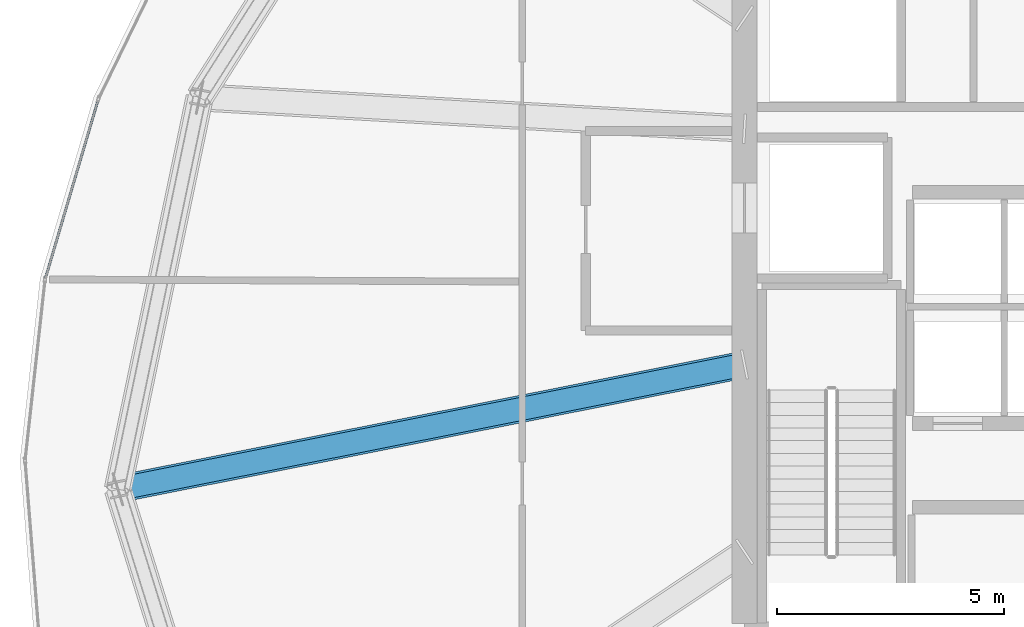
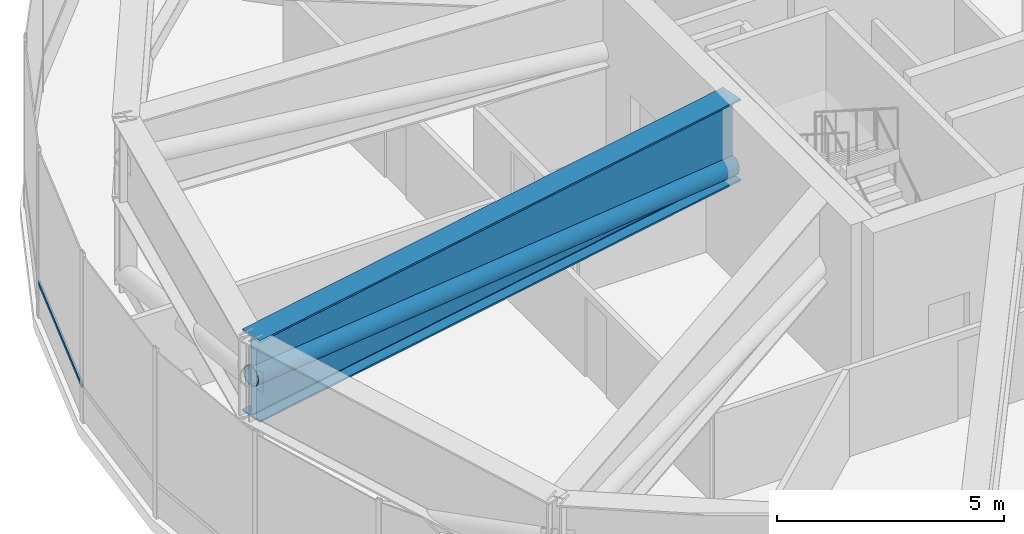
# One storey, part 10 of 30: 2 members, 1 beam, 1 element without a shape of its own.
"""IFC4 building model written with IfcOpenShell, lengths in metres."""

from ifc_helpers import new_model, si_unit, direction, frame, origin, origin_2d, place, context, subcontext, project, spatial, hollow_rectangle, hollow_circle, i_section, extrude, source, transform, mapped, material, layer, layer_set, material_profile, profile_set, type_object, element, aggregate, save


model = new_model("IFC4")

# Units and contexts
model_context = context("Model", 3, precision=1e-05, world=origin(), true_north=direction((0.0, 1.0)))
body_context = subcontext(model_context, "Body", "Model", "MODEL_VIEW")
ifc_project = project(units=[si_unit("LENGTHUNIT", "METRE"), si_unit("AREAUNIT", "SQUARE_METRE"), si_unit("VOLUMEUNIT", "CUBIC_METRE"), si_unit("PLANEANGLEUNIT", "RADIAN"), si_unit("MASSUNIT", "GRAM", prefix="KILO"), si_unit("THERMODYNAMICTEMPERATUREUNIT", "KELVIN")], contexts=[model_context])

# Site, building, storey
site_placement = place(None, origin())
site = spatial("IfcSite", under=ifc_project, at=site_placement, CompositionType="ELEMENT")
building_placement = place(site_placement, origin())
building = spatial("IfcBuilding", under=site, at=building_placement, Name="Kethvar Cultural Tower", CompositionType="ELEMENT")
storey_placement = place(building_placement, frame((0.0, 0.0, 171.39990234375)))
storey = spatial("IfcBuildingStorey", under=building, at=storey_placement, Name="L44", CompositionType="ELEMENT", Elevation=171.39990234375)

# Beam
ifc_material_1 = material(Name="Steel S460M", Category="steel")
ifc_material_profile_1 = material_profile(ifc_material_1, i_section(OverallWidth=0.60009765625, OverallDepth=2.199951171875, WebThickness=0.028076171875, FlangeThickness=0.044921875, FilletRadius=0.02197265625, at=origin_2d()), Name="Steel S460M — PG2200x600x45x28")
ifc_profile_set_1 = profile_set([ifc_material_profile_1], Name="Steel S460M — PG2200x600x45x28")
beam_type = type_object("IfcBeamType", Name="BM-TR2200", PredefinedType="BEAM", material=ifc_profile_set_1)
shared_shape_1 = source(origin(), body_context, "Body", "SweptSolid", [
    extrude(i_section(OverallWidth=0.60009765625, OverallDepth=2.199951171875, WebThickness=0.028076171875, FlangeThickness=0.044921875, FilletRadius=0.02197265625, at=origin_2d()), origin(), (0.0, 0.0, 1.0), 14.085205078125),
])
beam_placement = place(storey_placement, frame((38.0, 26.049560546875, 3.47802734375), z_axis=(-0.98078679373, -0.195082713854, 0.0), x_axis=(0.195082713854, -0.98078679373, 0.0)))
element("IfcBeam", 1, at=beam_placement, inside=storey, type_object=beam_type, Name="L44 Outrigger Transfer Girder OG-09", PredefinedType="BEAM", context=body_context, shape_type="MappedRepresentation", body=[
    mapped(shared_shape_1, transform((0.0, 0.0, 0.0), scale=1.0)),
])

# Member
ifc_material_profile_2 = material_profile(ifc_material_1, hollow_circle(Radius=0.25390625, WallThickness=0.02001953125, at=origin_2d()), Name="Steel S460M — CHS508x20")
ifc_profile_set_2 = profile_set([ifc_material_profile_2], Name="Steel S460M — CHS508x20")
member_type_1 = type_object("IfcMemberType", Name="MB-OUT-508", PredefinedType="BRACE", material=ifc_profile_set_2)
shared_shape_2 = source(origin(), body_context, "Body", "SweptSolid", [
    extrude(hollow_circle(Radius=0.25390625, WallThickness=0.02001953125, at=origin_2d()), origin(), (0.0, 0.0, 1.0), 14.109619140625),
])
member_1_placement = place(storey_placement, frame((38.0, 26.049560546875, 2.650146484375), z_axis=(-0.979097040431, -0.194746614652, 0.058674879634), x_axis=(0.195082713854, -0.98078679373, 0.0)))
element("IfcMember", 2, at=member_1_placement, inside=storey, type_object=member_type_1, Name="L44 Outrigger Truss Diagonal OB-09", PredefinedType="BRACE", context=body_context, shape_type="MappedRepresentation", body=[
    mapped(shared_shape_2, transform((0.0, 0.0, 0.0), scale=1.0)),
])

# Curtain wall, member
ifc_material_2 = material(Name="Aluminium 6063-T6", Category="aluminium")
ifc_layer = layer(ifc_material_2, 0.179931640625, Name="Aluminium 6063-T6", Category="aluminium")
ifc_layer_set = layer_set([ifc_layer], Name="Aluminium 6063-T6 (180 mm)")
curtain_wall_type = type_object("IfcCurtainWallType", Name="CW-SYS-04-Z34", PredefinedType="NOTDEFINED", material=ifc_layer_set)
curtain_wall_placement = place(storey_placement, origin())
curtain_wall = element("IfcCurtainWall", 3, at=curtain_wall_placement, inside=storey, type_object=curtain_wall_type, Name="L44 Curtain Wall Run 03", PredefinedType="NOTDEFINED")
ifc_material_profile_3 = material_profile(ifc_material_2, hollow_rectangle(XDim=0.050048828125, YDim=0.10009765625, WallThickness=0.00390625, at=origin_2d()), Name="Aluminium 6063-T6 — RHS100x50x4")
ifc_profile_set_3 = profile_set([ifc_material_profile_3], Name="Aluminium 6063-T6 — RHS100x50x4")
member_type_2 = type_object("IfcMemberType", Name="CW-SYS-04-Z34-TRN", PredefinedType="USERDEFINED", material=ifc_profile_set_3)
shared_shape_3 = source(origin(), body_context, "Body", "SweptSolid", [
    extrude(hollow_rectangle(XDim=0.050048828125, YDim=0.10009765625, WallThickness=0.00390625, at=origin_2d()), origin(), (0.0, 0.0, 1.0), 4.083984375),
])
member_2_placement = place(storey_placement, frame((23.7451171875, 31.8642578125, 0.9501953125), z_axis=(-0.28329241052, -0.959033581342, 0.0), x_axis=(0.959033581342, -0.28329241052, 0.0)))
member_2 = element("IfcMember", 4, at=member_2_placement, type_object=member_type_2, Name="CW-L44-R03 Transom 2", ObjectType="TRANSOM", PredefinedType="USERDEFINED", context=body_context, shape_type="MappedRepresentation", body=[
    mapped(shared_shape_3, transform((0.0, 0.0, 0.0), scale=1.0)),
])
aggregate(curtain_wall, [member_2])

save(model, "model.ifc")
